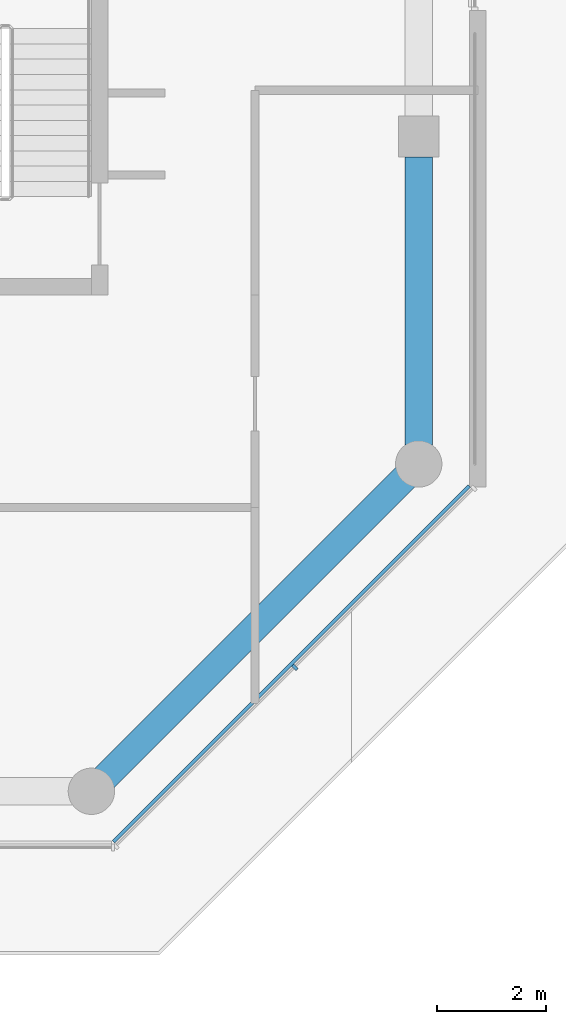
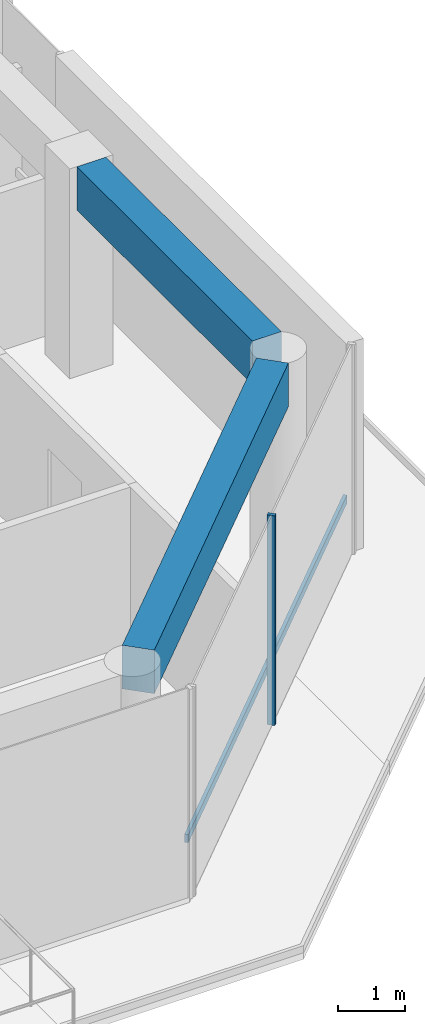
# One storey, part 3 of 18: 2 beams, 2 members, 1 element without a shape of its own.
"""IFC4 building model written with IfcOpenShell, lengths in metres."""

from ifc_helpers import new_model, si_unit, direction, frame, origin, origin_2d, place, context, subcontext, project, spatial, rectangle, extrude, material, layer, layer_set, material_profile, profile_set, type_object, element, aggregate, save


model = new_model("IFC4")

# Units and contexts
model_context = context("Model", 3, precision=1e-05, world=origin(), true_north=direction((0.0, 1.0)))
body_context = subcontext(model_context, "Body", "Model", "MODEL_VIEW")
ifc_project = project(units=[si_unit("LENGTHUNIT", "METRE"), si_unit("AREAUNIT", "SQUARE_METRE"), si_unit("VOLUMEUNIT", "CUBIC_METRE"), si_unit("PLANEANGLEUNIT", "RADIAN"), si_unit("MASSUNIT", "GRAM", prefix="KILO")], contexts=[model_context])

# Site, building, storey
site_placement = place(None, origin())
site = spatial("IfcSite", under=ifc_project, at=site_placement, CompositionType="ELEMENT")
building_placement = place(site_placement, origin())
building = spatial("IfcBuilding", under=site, at=building_placement, Name="Welwitschia Terrace Campus", CompositionType="ELEMENT")
storey_placement = place(building_placement, frame((0.0, 0.0, 285.199951171875)))
storey = spatial("IfcBuildingStorey", under=building, at=storey_placement, Name="L63", CompositionType="ELEMENT", Elevation=285.199951171875)

# Curtain wall, member
ifc_material_1 = material(Name="Bronze anodised aluminium", Category="aluminium")
ifc_layer = layer(ifc_material_1, 0.1201171875)
ifc_layer_set = layer_set([ifc_layer], Name="Bronze anodised aluminium")
curtain_wall_type = type_object("IfcCurtainWallType", Name="Curtain wall CW2 tower 6000", PredefinedType="NOTDEFINED", material=ifc_layer_set)
curtain_wall_placement = place(storey_placement, origin())
curtain_wall = element("IfcCurtainWall", 1, at=curtain_wall_placement, inside=storey, type_object=curtain_wall_type, Name="CW L63.6.0", PredefinedType="NOTDEFINED")
ifc_material_2 = material(Name="Bronze anodised aluminium", Category="aluminium")
ifc_material_profile_1 = material_profile(ifc_material_2, rectangle(XDim=0.1201171875, YDim=0.06005859375, at=origin_2d()))
ifc_profile_set_1 = profile_set([ifc_material_profile_1], Name="Bronze anodised aluminium")
member_type_1 = type_object("IfcMemberType", Name="Mullion 60x120", PredefinedType="MULLION", material=ifc_profile_set_1)
member_1_placement = place(storey_placement, frame((27.728271484375, -1.728271484375, 0.0), z_axis=(0.0, 0.0, 1.0), x_axis=(-0.707106781187, 0.707106781187, 0.0)))
member_1 = element("IfcMember", 2, at=member_1_placement, type_object=member_type_1, Name="Mullion L63.6.0.1", PredefinedType="MULLION", context=body_context, shape_type="SweptSolid", body=[
    extrude(rectangle(XDim=0.1201171875, YDim=0.06005859375, at=origin_2d()), origin(), (0.0, 0.0, 1.0), 3.85009765625),
])

# Beams
ifc_material_3 = material(Name="Concrete C50/60", Category="concrete")
ifc_material_profile_2 = material_profile(ifc_material_3, rectangle(XDim=0.5, YDim=0.800048828125, at=origin_2d()))
ifc_profile_set_2 = profile_set([ifc_material_profile_2], Name="Concrete C50/60")
beam_type = type_object("IfcBeamType", Name="Ring spandrel 500x800", PredefinedType="SPANDREL", material=ifc_profile_set_2)
beam_1_placement = place(storey_placement, frame((24.24365234375, -3.75634765625, 3.449951171875), z_axis=(0.707106781187, 0.707106781187, 0.0), x_axis=(-0.707106781187, 0.707106781187, 0.0)))
element("IfcBeam", 3, at=beam_1_placement, inside=storey, type_object=beam_type, Name="Spandrel SP4", PredefinedType="SPANDREL", context=body_context, shape_type="SweptSolid", body=[
    extrude(rectangle(XDim=0.5, YDim=0.800048828125, at=origin_2d()), origin(), (0.0, 0.0, 1.0), 7.796142578125),
])
beam_2_placement = place(storey_placement, frame((30.0, 2.344482421875, 3.449951171875), z_axis=(0.0, 1.0, 0.0), x_axis=(-1.0, 0.0, 0.0)))
element("IfcBeam", 4, at=beam_2_placement, inside=storey, type_object=beam_type, Name="Spandrel SP4", PredefinedType="SPANDREL", context=body_context, shape_type="SweptSolid", body=[
    extrude(rectangle(XDim=0.5, YDim=0.800048828125, at=origin_2d()), origin(), (0.0, 0.0, 1.0), 5.280029296875),
])

# Member
ifc_material_4 = material(Name="Bronze anodised aluminium", Category="aluminium")
ifc_material_profile_3 = material_profile(ifc_material_4, rectangle(XDim=0.06005859375, YDim=0.14990234375, at=origin_2d()))
ifc_profile_set_3 = profile_set([ifc_material_profile_3], Name="Bronze anodised aluminium")
member_type_2 = type_object("IfcMemberType", Name="Transom 60x150", PredefinedType="USERDEFINED", material=ifc_profile_set_3)
member_2_placement = place(storey_placement, frame((24.405517578125, -4.923828125, 1.0), z_axis=(0.707106781187, 0.707106781187, 0.0), x_axis=(-0.707106781187, 0.707106781187, 0.0)))
member_2 = element("IfcMember", 5, at=member_2_placement, type_object=member_type_2, Name="Transom L63.6.0", ObjectType="TRANSOM", PredefinedType="USERDEFINED", context=body_context, shape_type="SweptSolid", body=[
    extrude(rectangle(XDim=0.06005859375, YDim=0.14990234375, at=origin_2d()), origin(), (0.0, 0.0, 1.0), 9.21826171875),
])

aggregate(curtain_wall, [member_1, member_2])

save(model, "model.ifc")
